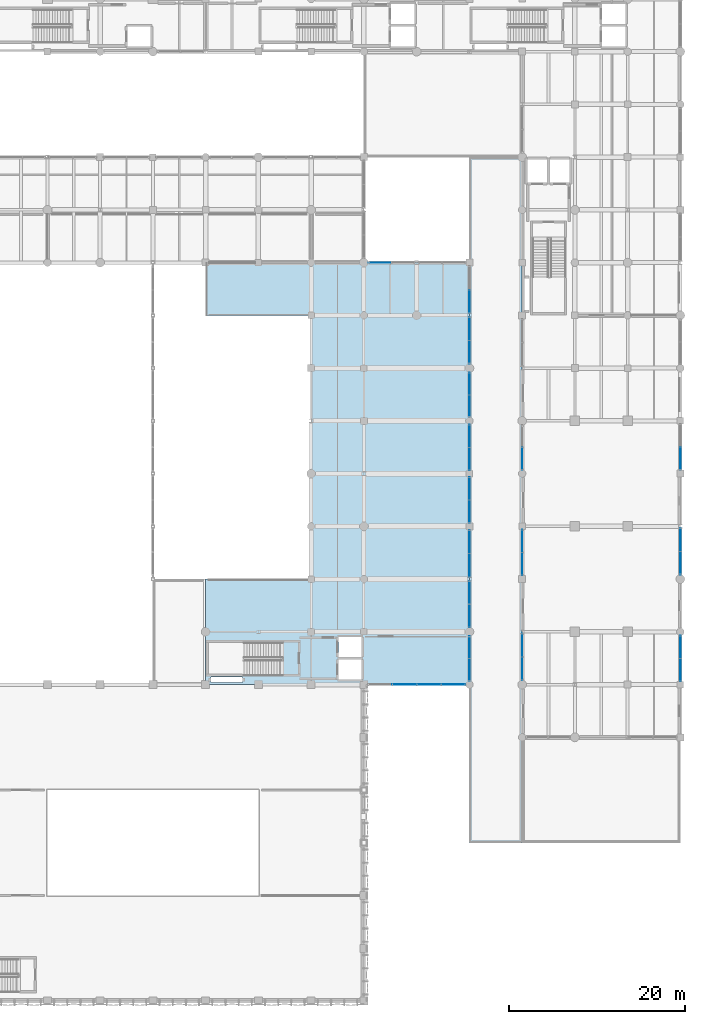
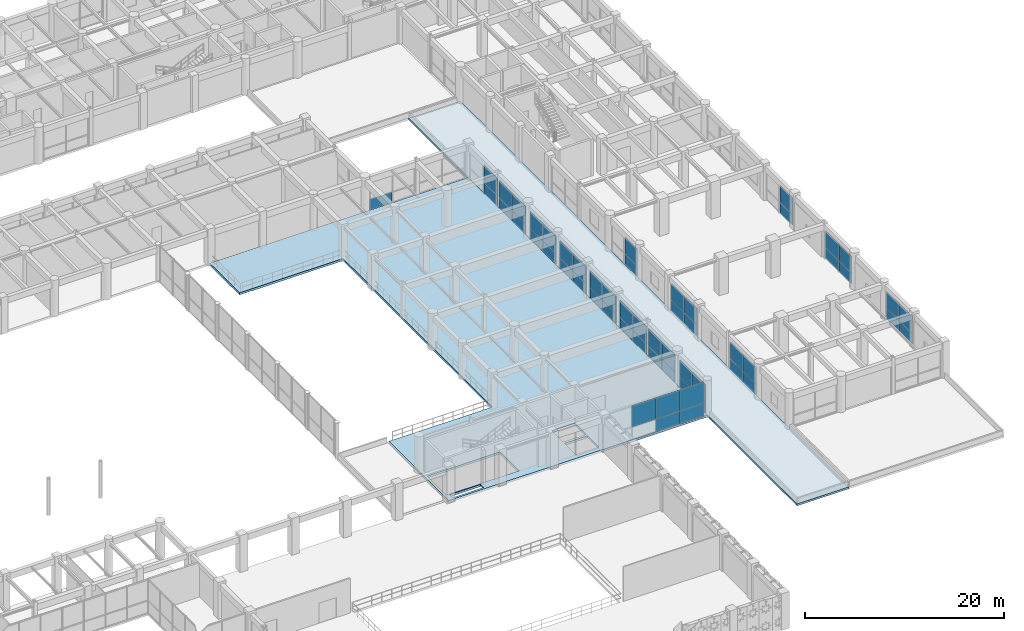
# One storey, part 92 of 133: 56 plates, 2 slabs, 16 elements without a shape of their own.
"""IFC4 building model written with IfcOpenShell, lengths in metres."""

from ifc_helpers import new_model, si_unit, direction, frame, frame_2d, origin, place, context, subcontext, project, spatial, polyline, rectangle, outline, extrude, material, layer, layer_set, type_object, element, aggregate, save


model = new_model("IFC4")

# Units and contexts
model_context = context("Model", 3, precision=1e-05, world=origin(), true_north=direction((0.0, 1.0)))
body_context = subcontext(model_context, "Body", "Model", "MODEL_VIEW")
ifc_project = project(units=[si_unit("LENGTHUNIT", "METRE"), si_unit("AREAUNIT", "SQUARE_METRE"), si_unit("VOLUMEUNIT", "CUBIC_METRE"), si_unit("PLANEANGLEUNIT", "RADIAN"), si_unit("MASSUNIT", "GRAM", prefix="KILO"), si_unit("THERMODYNAMICTEMPERATUREUNIT", "KELVIN"), si_unit("POWERUNIT", "WATT")], contexts=[model_context])

# Site, building, storey
site_placement = place(None, origin())
site = spatial("IfcSite", under=ifc_project, at=site_placement, CompositionType="ELEMENT")
building_placement = place(site_placement, origin())
building = spatial("IfcBuilding", under=site, at=building_placement, Name="Phaisarnlok Congress Hotel", CompositionType="ELEMENT")
storey_placement = place(building_placement, frame((0.0, 0.0, 6.0)))
storey = spatial("IfcBuildingStorey", under=building, at=storey_placement, Name="L01", CompositionType="ELEMENT", Elevation=6.0)

# Curtain wall, plates
ifc_material_1 = material(Name="Thermally Broken Unitised Aluminium & Low-E Glazing", Category="aluminium")
curtain_wall_type_1 = type_object("IfcCurtainWallType", Name="CW-UNIT-11", PredefinedType="NOTDEFINED", material=ifc_material_1)
curtain_wall_1_placement = place(storey_placement, origin())
curtain_wall_1 = element("IfcCurtainWall", 1, at=curtain_wall_1_placement, inside=storey, type_object=curtain_wall_type_1, Name="Unitised curtain wall CW-11 (L01)", PredefinedType="NOTDEFINED")
ifc_material_2 = material(Name="Triple Acoustic Solar-Control Glazing", Category="glass")
ifc_layer_1 = layer(ifc_material_2, 0.035888671875, Name="Triple Acoustic Solar-Control Glazing")
ifc_layer_set_1 = layer_set([ifc_layer_1], Name="Triple Acoustic Solar-Control Glazing")
plate_type = type_object("IfcPlateType", Name="CWP-GLZ-36", PredefinedType="CURTAIN_PANEL", material=ifc_layer_set_1)
plate_1_placement = place(storey_placement, frame((147.248779296875, 36.0, 1.603515625), z_axis=(0.0, 0.0, 1.0), x_axis=(1.0, 0.0, 0.0)))
plate_1 = element("IfcPlate", 2, at=plate_1_placement, type_object=plate_type, Name="Glazed curtain panel CWP-02", PredefinedType="CURTAIN_PANEL", context=body_context, shape_type="SweptSolid", body=[
    extrude(rectangle(XDim=2.748779296875, YDim=0.028076171875, at=frame_2d((1.37451171875, 0.0))), origin(), (0.0, 0.0, 1.0), 2.576416015625),
])
plate_2_placement = place(storey_placement, frame((150.027587890625, 36.0, 0.0400390625), z_axis=(0.0, 0.0, 1.0), x_axis=(1.0, 0.0, 0.0)))
plate_2 = element("IfcPlate", 3, at=plate_2_placement, type_object=plate_type, Name="Glazed curtain panel CWP-02", PredefinedType="CURTAIN_PANEL", context=body_context, shape_type="SweptSolid", body=[
    extrude(rectangle(XDim=2.748779296875, YDim=0.028076171875, at=frame_2d((1.37451171875, 0.0))), origin(), (0.0, 0.0, 1.0), 1.5634765625),
])
plate_3_placement = place(storey_placement, frame((150.027587890625, 36.0, 1.603515625), z_axis=(0.0, 0.0, 1.0), x_axis=(1.0, 0.0, 0.0)))
plate_3 = element("IfcPlate", 4, at=plate_3_placement, type_object=plate_type, Name="Glazed curtain panel CWP-02", PredefinedType="CURTAIN_PANEL", context=body_context, shape_type="SweptSolid", body=[
    extrude(rectangle(XDim=2.748779296875, YDim=0.028076171875, at=frame_2d((1.37451171875, 0.0))), origin(), (0.0, 0.0, 1.0), 2.576416015625),
])
plate_4_placement = place(storey_placement, frame((152.806396484375, 36.0, 0.0400390625), z_axis=(0.0, 0.0, 1.0), x_axis=(1.0, 0.0, 0.0)))
plate_4 = element("IfcPlate", 5, at=plate_4_placement, type_object=plate_type, Name="Glazed curtain panel CWP-02", PredefinedType="CURTAIN_PANEL", context=body_context, shape_type="SweptSolid", body=[
    extrude(rectangle(XDim=2.74365234375, YDim=0.028076171875, at=frame_2d((1.371826171875, 0.0))), origin(), (0.0, 0.0, 1.0), 1.5634765625),
])
plate_5_placement = place(storey_placement, frame((152.806396484375, 36.0, 1.603515625), z_axis=(0.0, 0.0, 1.0), x_axis=(1.0, 0.0, 0.0)))
plate_5 = element("IfcPlate", 6, at=plate_5_placement, type_object=plate_type, Name="Glazed curtain panel CWP-02", PredefinedType="CURTAIN_PANEL", context=body_context, shape_type="SweptSolid", body=[
    extrude(rectangle(XDim=2.74365234375, YDim=0.028076171875, at=frame_2d((1.371826171875, 0.0))), origin(), (0.0, 0.0, 1.0), 2.576416015625),
])
aggregate(curtain_wall_1, [plate_1, plate_2, plate_3, plate_4, plate_5])

curtain_wall_type_2 = type_object("IfcCurtainWallType", Name="CW-UNIT-12", PredefinedType="NOTDEFINED", material=ifc_material_1)
curtain_wall_2_placement = place(storey_placement, origin())
curtain_wall_2 = element("IfcCurtainWall", 7, at=curtain_wall_2_placement, inside=storey, type_object=curtain_wall_type_2, Name="Unitised curtain wall CW-12 (L01)", PredefinedType="NOTDEFINED")
plate_6_placement = place(storey_placement, frame((156.0, 36.449951171875, 0.0400390625), z_axis=(0.0, 0.0, 1.0), x_axis=(0.0, 1.0, 0.0)))
plate_6 = element("IfcPlate", 8, at=plate_6_placement, type_object=plate_type, Name="Glazed curtain panel CWP-02", PredefinedType="CURTAIN_PANEL", context=body_context, shape_type="SweptSolid", body=[
    extrude(rectangle(XDim=2.49755859375, YDim=0.028076171875, at=frame_2d((1.248779296875, 0.0))), origin(), (0.0, 0.0, 1.0), 1.278564453125),
])
plate_7_placement = place(storey_placement, frame((156.0, 36.449951171875, 1.318603515625), z_axis=(0.0, 0.0, 1.0), x_axis=(0.0, 1.0, 0.0)))
plate_7 = element("IfcPlate", 9, at=plate_7_placement, type_object=plate_type, Name="Glazed curtain panel CWP-02", PredefinedType="CURTAIN_PANEL", context=body_context, shape_type="SweptSolid", body=[
    extrude(rectangle(XDim=2.49755859375, YDim=0.028076171875, at=frame_2d((1.248779296875, 0.0))), origin(), (0.0, 0.0, 1.0), 2.111328125),
])
plate_8_placement = place(storey_placement, frame((156.0, 38.9775390625, 0.0400390625), z_axis=(0.0, 0.0, 1.0), x_axis=(0.0, 1.0, 0.0)))
plate_8 = element("IfcPlate", 10, at=plate_8_placement, type_object=plate_type, Name="Glazed curtain panel CWP-02", PredefinedType="CURTAIN_PANEL", context=body_context, shape_type="SweptSolid", body=[
    extrude(rectangle(XDim=2.49755859375, YDim=0.028076171875, at=frame_2d((1.248779296875, 0.0))), origin(), (0.0, 0.0, 1.0), 1.278564453125),
])
plate_9_placement = place(storey_placement, frame((156.0, 38.9775390625, 1.318603515625), z_axis=(0.0, 0.0, 1.0), x_axis=(0.0, 1.0, 0.0)))
plate_9 = element("IfcPlate", 11, at=plate_9_placement, type_object=plate_type, Name="Glazed curtain panel CWP-02", PredefinedType="CURTAIN_PANEL", context=body_context, shape_type="SweptSolid", body=[
    extrude(rectangle(XDim=2.49755859375, YDim=0.028076171875, at=frame_2d((1.248779296875, 0.0))), origin(), (0.0, 0.0, 1.0), 2.111328125),
])
aggregate(curtain_wall_2, [plate_6, plate_7, plate_8, plate_9])

curtain_wall_type_3 = type_object("IfcCurtainWallType", Name="CW-UNIT-13", PredefinedType="NOTDEFINED", material=ifc_material_1)
curtain_wall_3_placement = place(storey_placement, origin())
curtain_wall_3 = element("IfcCurtainWall", 12, at=curtain_wall_3_placement, inside=storey, type_object=curtain_wall_type_3, Name="Unitised curtain wall CW-13 (L01)", PredefinedType="NOTDEFINED")
plate_10_placement = place(storey_placement, frame((156.0, 42.52490234375, 0.0400390625), z_axis=(0.0, 0.0, 1.0), x_axis=(0.0, 1.0, 0.0)))
plate_10 = element("IfcPlate", 13, at=plate_10_placement, type_object=plate_type, Name="Glazed curtain panel CWP-02", PredefinedType="CURTAIN_PANEL", context=body_context, shape_type="SweptSolid", body=[
    extrude(rectangle(XDim=2.6103515625, YDim=0.028076171875, at=frame_2d((1.30517578125, 0.0))), origin(), (0.0, 0.0, 1.0), 1.278564453125),
])
plate_11_placement = place(storey_placement, frame((156.0, 42.52490234375, 1.318603515625), z_axis=(0.0, 0.0, 1.0), x_axis=(0.0, 1.0, 0.0)))
plate_11 = element("IfcPlate", 14, at=plate_11_placement, type_object=plate_type, Name="Glazed curtain panel CWP-02", PredefinedType="CURTAIN_PANEL", context=body_context, shape_type="SweptSolid", body=[
    extrude(rectangle(XDim=2.6103515625, YDim=0.028076171875, at=frame_2d((1.30517578125, 0.0))), origin(), (0.0, 0.0, 1.0), 2.111328125),
])
plate_12_placement = place(storey_placement, frame((156.0, 45.165283203125, 0.0400390625), z_axis=(0.0, 0.0, 1.0), x_axis=(0.0, 1.0, 0.0)))
plate_12 = element("IfcPlate", 15, at=plate_12_placement, type_object=plate_type, Name="Glazed curtain panel CWP-02", PredefinedType="CURTAIN_PANEL", context=body_context, shape_type="SweptSolid", body=[
    extrude(rectangle(XDim=2.610107421875, YDim=0.028076171875, at=frame_2d((1.30517578125, 0.0))), origin(), (0.0, 0.0, 1.0), 1.278564453125),
])
plate_13_placement = place(storey_placement, frame((156.0, 45.165283203125, 1.318603515625), z_axis=(0.0, 0.0, 1.0), x_axis=(0.0, 1.0, 0.0)))
plate_13 = element("IfcPlate", 16, at=plate_13_placement, type_object=plate_type, Name="Glazed curtain panel CWP-02", PredefinedType="CURTAIN_PANEL", context=body_context, shape_type="SweptSolid", body=[
    extrude(rectangle(XDim=2.610107421875, YDim=0.028076171875, at=frame_2d((1.30517578125, 0.0))), origin(), (0.0, 0.0, 1.0), 2.111328125),
])
aggregate(curtain_wall_3, [plate_10, plate_11, plate_12, plate_13])

curtain_wall_type_4 = type_object("IfcCurtainWallType", Name="CW-UNIT-14", PredefinedType="NOTDEFINED", material=ifc_material_1)
curtain_wall_4_placement = place(storey_placement, origin())
curtain_wall_4 = element("IfcCurtainWall", 17, at=curtain_wall_4_placement, inside=storey, type_object=curtain_wall_type_4, Name="Unitised curtain wall CW-14 (L01)", PredefinedType="NOTDEFINED")
plate_14_placement = place(storey_placement, frame((156.0, 48.224609375, 0.0400390625), z_axis=(0.0, 0.0, 1.0), x_axis=(0.0, 1.0, 0.0)))
plate_14 = element("IfcPlate", 18, at=plate_14_placement, type_object=plate_type, Name="Glazed curtain panel CWP-02", PredefinedType="CURTAIN_PANEL", context=body_context, shape_type="SweptSolid", body=[
    extrude(rectangle(XDim=2.66015625, YDim=0.028076171875, at=frame_2d((1.330078125, 0.0))), origin(), (0.0, 0.0, 1.0), 1.278564453125),
])
plate_15_placement = place(storey_placement, frame((156.0, 48.224609375, 1.318603515625), z_axis=(0.0, 0.0, 1.0), x_axis=(0.0, 1.0, 0.0)))
plate_15 = element("IfcPlate", 19, at=plate_15_placement, type_object=plate_type, Name="Glazed curtain panel CWP-02", PredefinedType="CURTAIN_PANEL", context=body_context, shape_type="SweptSolid", body=[
    extrude(rectangle(XDim=2.66015625, YDim=0.028076171875, at=frame_2d((1.330078125, 0.0))), origin(), (0.0, 0.0, 1.0), 2.111328125),
])
plate_16_placement = place(storey_placement, frame((156.0, 50.914794921875, 0.0400390625), z_axis=(0.0, 0.0, 1.0), x_axis=(0.0, 1.0, 0.0)))
plate_16 = element("IfcPlate", 20, at=plate_16_placement, type_object=plate_type, Name="Glazed curtain panel CWP-02", PredefinedType="CURTAIN_PANEL", context=body_context, shape_type="SweptSolid", body=[
    extrude(rectangle(XDim=2.66015625, YDim=0.028076171875, at=frame_2d((1.330078125, 0.0))), origin(), (0.0, 0.0, 1.0), 1.278564453125),
])
plate_17_placement = place(storey_placement, frame((156.0, 50.914794921875, 1.318603515625), z_axis=(0.0, 0.0, 1.0), x_axis=(0.0, 1.0, 0.0)))
plate_17 = element("IfcPlate", 21, at=plate_17_placement, type_object=plate_type, Name="Glazed curtain panel CWP-02", PredefinedType="CURTAIN_PANEL", context=body_context, shape_type="SweptSolid", body=[
    extrude(rectangle(XDim=2.66015625, YDim=0.028076171875, at=frame_2d((1.330078125, 0.0))), origin(), (0.0, 0.0, 1.0), 2.111328125),
])
aggregate(curtain_wall_4, [plate_14, plate_15, plate_16, plate_17])

curtain_wall_type_5 = type_object("IfcCurtainWallType", Name="CW-UNIT-15", PredefinedType="NOTDEFINED", material=ifc_material_1)
curtain_wall_5_placement = place(storey_placement, origin())
curtain_wall_5 = element("IfcCurtainWall", 22, at=curtain_wall_5_placement, inside=storey, type_object=curtain_wall_type_5, Name="Unitised curtain wall CW-15 (L01)", PredefinedType="NOTDEFINED")
plate_18_placement = place(storey_placement, frame((156.0, 54.425048828125, 0.0400390625), z_axis=(0.0, 0.0, 1.0), x_axis=(0.0, 1.0, 0.0)))
plate_18 = element("IfcPlate", 23, at=plate_18_placement, type_object=plate_type, Name="Glazed curtain panel CWP-02", PredefinedType="CURTAIN_PANEL", context=body_context, shape_type="SweptSolid", body=[
    extrude(rectangle(XDim=2.572509765625, YDim=0.028076171875, at=frame_2d((1.2861328125, 0.0))), origin(), (0.0, 0.0, 1.0), 1.278564453125),
])
plate_19_placement = place(storey_placement, frame((156.0, 54.425048828125, 1.318603515625), z_axis=(0.0, 0.0, 1.0), x_axis=(0.0, 1.0, 0.0)))
plate_19 = element("IfcPlate", 24, at=plate_19_placement, type_object=plate_type, Name="Glazed curtain panel CWP-02", PredefinedType="CURTAIN_PANEL", context=body_context, shape_type="SweptSolid", body=[
    extrude(rectangle(XDim=2.572509765625, YDim=0.028076171875, at=frame_2d((1.2861328125, 0.0))), origin(), (0.0, 0.0, 1.0), 2.111328125),
])
plate_20_placement = place(storey_placement, frame((156.0, 57.027587890625, 0.0400390625), z_axis=(0.0, 0.0, 1.0), x_axis=(0.0, 1.0, 0.0)))
plate_20 = element("IfcPlate", 25, at=plate_20_placement, type_object=plate_type, Name="Glazed curtain panel CWP-02", PredefinedType="CURTAIN_PANEL", context=body_context, shape_type="SweptSolid", body=[
    extrude(rectangle(XDim=2.572509765625, YDim=0.028076171875, at=frame_2d((1.2861328125, 0.0))), origin(), (0.0, 0.0, 1.0), 1.278564453125),
])
plate_21_placement = place(storey_placement, frame((156.0, 57.027587890625, 1.318603515625), z_axis=(0.0, 0.0, 1.0), x_axis=(0.0, 1.0, 0.0)))
plate_21 = element("IfcPlate", 26, at=plate_21_placement, type_object=plate_type, Name="Glazed curtain panel CWP-02", PredefinedType="CURTAIN_PANEL", context=body_context, shape_type="SweptSolid", body=[
    extrude(rectangle(XDim=2.572509765625, YDim=0.028076171875, at=frame_2d((1.2861328125, 0.0))), origin(), (0.0, 0.0, 1.0), 2.111328125),
])
aggregate(curtain_wall_5, [plate_18, plate_19, plate_20, plate_21])

curtain_wall_6_placement = place(storey_placement, origin())
curtain_wall_6 = element("IfcCurtainWall", 27, at=curtain_wall_6_placement, inside=storey, type_object=curtain_wall_type_5, Name="Unitised curtain wall CW-15 (L01)", PredefinedType="NOTDEFINED")
plate_22_placement = place(storey_placement, frame((156.0, 60.39990234375, 0.0400390625), z_axis=(0.0, 0.0, 1.0), x_axis=(0.0, 1.0, 0.0)))
plate_22 = element("IfcPlate", 28, at=plate_22_placement, type_object=plate_type, Name="Glazed curtain panel CWP-02", PredefinedType="CURTAIN_PANEL", context=body_context, shape_type="SweptSolid", body=[
    extrude(rectangle(XDim=2.56005859375, YDim=0.028076171875, at=frame_2d((1.280029296875, 0.0))), origin(), (0.0, 0.0, 1.0), 1.278564453125),
])
plate_23_placement = place(storey_placement, frame((156.0, 60.39990234375, 1.318603515625), z_axis=(0.0, 0.0, 1.0), x_axis=(0.0, 1.0, 0.0)))
plate_23 = element("IfcPlate", 29, at=plate_23_placement, type_object=plate_type, Name="Glazed curtain panel CWP-02", PredefinedType="CURTAIN_PANEL", context=body_context, shape_type="SweptSolid", body=[
    extrude(rectangle(XDim=2.56005859375, YDim=0.028076171875, at=frame_2d((1.280029296875, 0.0))), origin(), (0.0, 0.0, 1.0), 2.111328125),
])
plate_24_placement = place(storey_placement, frame((156.0, 62.989990234375, 0.0400390625), z_axis=(0.0, 0.0, 1.0), x_axis=(0.0, 1.0, 0.0)))
plate_24 = element("IfcPlate", 30, at=plate_24_placement, type_object=plate_type, Name="Glazed curtain panel CWP-02", PredefinedType="CURTAIN_PANEL", context=body_context, shape_type="SweptSolid", body=[
    extrude(rectangle(XDim=2.56005859375, YDim=0.028076171875, at=frame_2d((1.280029296875, 0.0))), origin(), (0.0, 0.0, 1.0), 1.278564453125),
])
plate_25_placement = place(storey_placement, frame((156.0, 62.989990234375, 1.318603515625), z_axis=(0.0, 0.0, 1.0), x_axis=(0.0, 1.0, 0.0)))
plate_25 = element("IfcPlate", 31, at=plate_25_placement, type_object=plate_type, Name="Glazed curtain panel CWP-02", PredefinedType="CURTAIN_PANEL", context=body_context, shape_type="SweptSolid", body=[
    extrude(rectangle(XDim=2.56005859375, YDim=0.028076171875, at=frame_2d((1.280029296875, 0.0))), origin(), (0.0, 0.0, 1.0), 2.111328125),
])
aggregate(curtain_wall_6, [plate_22, plate_23, plate_24, plate_25])

curtain_wall_7_placement = place(storey_placement, origin())
curtain_wall_7 = element("IfcCurtainWall", 32, at=curtain_wall_7_placement, inside=storey, type_object=curtain_wall_type_2, Name="Unitised curtain wall CW-12 (L01)", PredefinedType="NOTDEFINED")
plate_26_placement = place(storey_placement, frame((156.0, 66.449951171875, 0.0400390625), z_axis=(0.0, 0.0, 1.0), x_axis=(0.0, 1.0, 0.0)))
plate_26 = element("IfcPlate", 33, at=plate_26_placement, type_object=plate_type, Name="Glazed curtain panel CWP-02", PredefinedType="CURTAIN_PANEL", context=body_context, shape_type="SweptSolid", body=[
    extrude(rectangle(XDim=2.49755859375, YDim=0.028076171875, at=frame_2d((1.248779296875, 0.0))), origin(), (0.0, 0.0, 1.0), 1.278564453125),
])
plate_27_placement = place(storey_placement, frame((156.0, 66.449951171875, 1.318603515625), z_axis=(0.0, 0.0, 1.0), x_axis=(0.0, 1.0, 0.0)))
plate_27 = element("IfcPlate", 34, at=plate_27_placement, type_object=plate_type, Name="Glazed curtain panel CWP-02", PredefinedType="CURTAIN_PANEL", context=body_context, shape_type="SweptSolid", body=[
    extrude(rectangle(XDim=2.49755859375, YDim=0.028076171875, at=frame_2d((1.248779296875, 0.0))), origin(), (0.0, 0.0, 1.0), 2.111328125),
])
plate_28_placement = place(storey_placement, frame((156.0, 68.9775390625, 0.0400390625), z_axis=(0.0, 0.0, 1.0), x_axis=(0.0, 1.0, 0.0)))
plate_28 = element("IfcPlate", 35, at=plate_28_placement, type_object=plate_type, Name="Glazed curtain panel CWP-02", PredefinedType="CURTAIN_PANEL", context=body_context, shape_type="SweptSolid", body=[
    extrude(rectangle(XDim=2.49755859375, YDim=0.028076171875, at=frame_2d((1.248779296875, 0.0))), origin(), (0.0, 0.0, 1.0), 1.278564453125),
])
plate_29_placement = place(storey_placement, frame((156.0, 68.9775390625, 1.318603515625), z_axis=(0.0, 0.0, 1.0), x_axis=(0.0, 1.0, 0.0)))
plate_29 = element("IfcPlate", 36, at=plate_29_placement, type_object=plate_type, Name="Glazed curtain panel CWP-02", PredefinedType="CURTAIN_PANEL", context=body_context, shape_type="SweptSolid", body=[
    extrude(rectangle(XDim=2.49755859375, YDim=0.028076171875, at=frame_2d((1.248779296875, 0.0))), origin(), (0.0, 0.0, 1.0), 2.111328125),
])
aggregate(curtain_wall_7, [plate_26, plate_27, plate_28, plate_29])

curtain_wall_8_placement = place(storey_placement, origin())
curtain_wall_8 = element("IfcCurtainWall", 37, at=curtain_wall_8_placement, inside=storey, type_object=curtain_wall_type_3, Name="Unitised curtain wall CW-13 (L01)", PredefinedType="NOTDEFINED")
plate_30_placement = place(storey_placement, frame((156.0, 72.52490234375, 0.0400390625), z_axis=(0.0, 0.0, 1.0), x_axis=(0.0, 1.0, 0.0)))
plate_30 = element("IfcPlate", 38, at=plate_30_placement, type_object=plate_type, Name="Glazed curtain panel CWP-02", PredefinedType="CURTAIN_PANEL", context=body_context, shape_type="SweptSolid", body=[
    extrude(rectangle(XDim=2.6103515625, YDim=0.028076171875, at=frame_2d((1.30517578125, 0.0))), origin(), (0.0, 0.0, 1.0), 1.278564453125),
])
plate_31_placement = place(storey_placement, frame((156.0, 72.52490234375, 1.318603515625), z_axis=(0.0, 0.0, 1.0), x_axis=(0.0, 1.0, 0.0)))
plate_31 = element("IfcPlate", 39, at=plate_31_placement, type_object=plate_type, Name="Glazed curtain panel CWP-02", PredefinedType="CURTAIN_PANEL", context=body_context, shape_type="SweptSolid", body=[
    extrude(rectangle(XDim=2.6103515625, YDim=0.028076171875, at=frame_2d((1.30517578125, 0.0))), origin(), (0.0, 0.0, 1.0), 2.111328125),
])
plate_32_placement = place(storey_placement, frame((156.0, 75.165283203125, 0.0400390625), z_axis=(0.0, 0.0, 1.0), x_axis=(0.0, 1.0, 0.0)))
plate_32 = element("IfcPlate", 40, at=plate_32_placement, type_object=plate_type, Name="Glazed curtain panel CWP-02", PredefinedType="CURTAIN_PANEL", context=body_context, shape_type="SweptSolid", body=[
    extrude(rectangle(XDim=2.610107421875, YDim=0.028076171875, at=frame_2d((1.30517578125, 0.0))), origin(), (0.0, 0.0, 1.0), 1.278564453125),
])
plate_33_placement = place(storey_placement, frame((156.0, 75.165283203125, 1.318603515625), z_axis=(0.0, 0.0, 1.0), x_axis=(0.0, 1.0, 0.0)))
plate_33 = element("IfcPlate", 41, at=plate_33_placement, type_object=plate_type, Name="Glazed curtain panel CWP-02", PredefinedType="CURTAIN_PANEL", context=body_context, shape_type="SweptSolid", body=[
    extrude(rectangle(XDim=2.610107421875, YDim=0.028076171875, at=frame_2d((1.30517578125, 0.0))), origin(), (0.0, 0.0, 1.0), 2.111328125),
])
aggregate(curtain_wall_8, [plate_30, plate_31, plate_32, plate_33])

curtain_wall_9_placement = place(storey_placement, origin())
curtain_wall_9 = element("IfcCurtainWall", 42, at=curtain_wall_9_placement, inside=storey, type_object=curtain_wall_type_4, Name="Unitised curtain wall CW-14 (L01)", PredefinedType="NOTDEFINED")
plate_34_placement = place(storey_placement, frame((156.0, 78.224609375, 0.0400390625), z_axis=(0.0, 0.0, 1.0), x_axis=(0.0, 1.0, 0.0)))
plate_34 = element("IfcPlate", 43, at=plate_34_placement, type_object=plate_type, Name="Glazed curtain panel CWP-02", PredefinedType="CURTAIN_PANEL", context=body_context, shape_type="SweptSolid", body=[
    extrude(rectangle(XDim=2.66015625, YDim=0.028076171875, at=frame_2d((1.330078125, 0.0))), origin(), (0.0, 0.0, 1.0), 1.278564453125),
])
plate_35_placement = place(storey_placement, frame((156.0, 78.224609375, 1.318603515625), z_axis=(0.0, 0.0, 1.0), x_axis=(0.0, 1.0, 0.0)))
plate_35 = element("IfcPlate", 44, at=plate_35_placement, type_object=plate_type, Name="Glazed curtain panel CWP-02", PredefinedType="CURTAIN_PANEL", context=body_context, shape_type="SweptSolid", body=[
    extrude(rectangle(XDim=2.66015625, YDim=0.028076171875, at=frame_2d((1.330078125, 0.0))), origin(), (0.0, 0.0, 1.0), 2.111328125),
])
aggregate(curtain_wall_9, [plate_34, plate_35])

# Curtain wall, plate
curtain_wall_10_placement = place(storey_placement, origin())
curtain_wall_10 = element("IfcCurtainWall", 45, at=curtain_wall_10_placement, inside=storey, type_object=curtain_wall_type_3, Name="Unitised curtain wall CW-13 (L01)", PredefinedType="NOTDEFINED")
plate_36_placement = place(storey_placement, frame((147.134765625, 84.0, 0.0400390625), z_axis=(0.0, 0.0, 1.0), x_axis=(-1.0, 0.0, 0.0)))
plate_36 = element("IfcPlate", 46, at=plate_36_placement, type_object=plate_type, Name="Glazed curtain panel CWP-02", PredefinedType="CURTAIN_PANEL", context=body_context, shape_type="SweptSolid", body=[
    extrude(rectangle(XDim=2.60986328125, YDim=0.028076171875, at=frame_2d((1.304931640625, 0.0))), origin(), (0.0, 0.0, 1.0), 1.278564453125),
])
aggregate(curtain_wall_10, [plate_36])

# Curtain wall, plates
curtain_wall_11_placement = place(storey_placement, origin())
curtain_wall_11 = element("IfcCurtainWall", 47, at=curtain_wall_11_placement, inside=storey, type_object=curtain_wall_type_2, Name="Unitised curtain wall CW-12 (L01)", PredefinedType="NOTDEFINED")
plate_37_placement = place(storey_placement, frame((162.0, 62.947509765625, 0.0400390625), z_axis=(0.0, 0.0, 1.0), x_axis=(0.0, -1.0, 0.0)))
plate_37 = element("IfcPlate", 48, at=plate_37_placement, type_object=plate_type, Name="Glazed curtain panel CWP-02", PredefinedType="CURTAIN_PANEL", context=body_context, shape_type="SweptSolid", body=[
    extrude(rectangle(XDim=2.49755859375, YDim=0.028076171875, at=frame_2d((1.248779296875, 0.0))), origin(), (0.0, 0.0, 1.0), 1.278564453125),
])
plate_38_placement = place(storey_placement, frame((162.0, 62.947509765625, 1.318603515625), z_axis=(0.0, 0.0, 1.0), x_axis=(0.0, -1.0, 0.0)))
plate_38 = element("IfcPlate", 49, at=plate_38_placement, type_object=plate_type, Name="Glazed curtain panel CWP-02", PredefinedType="CURTAIN_PANEL", context=body_context, shape_type="SweptSolid", body=[
    extrude(rectangle(XDim=2.49755859375, YDim=0.028076171875, at=frame_2d((1.248779296875, 0.0))), origin(), (0.0, 0.0, 1.0), 2.111328125),
])
aggregate(curtain_wall_11, [plate_37, plate_38])

curtain_wall_12_placement = place(storey_placement, origin())
curtain_wall_12 = element("IfcCurtainWall", 50, at=curtain_wall_12_placement, inside=storey, type_object=curtain_wall_type_5, Name="Unitised curtain wall CW-15 (L01)", PredefinedType="NOTDEFINED")
plate_39_placement = place(storey_placement, frame((162.0, 53.60009765625, 0.0400390625), z_axis=(0.0, 0.0, 1.0), x_axis=(0.0, -1.0, 0.0)))
plate_39 = element("IfcPlate", 51, at=plate_39_placement, type_object=plate_type, Name="Glazed curtain panel CWP-02", PredefinedType="CURTAIN_PANEL", context=body_context, shape_type="SweptSolid", body=[
    extrude(rectangle(XDim=2.572509765625, YDim=0.028076171875, at=frame_2d((1.2861328125, 0.0))), origin(), (0.0, 0.0, 1.0), 1.278564453125),
])
plate_40_placement = place(storey_placement, frame((162.0, 53.60009765625, 1.318603515625), z_axis=(0.0, 0.0, 1.0), x_axis=(0.0, -1.0, 0.0)))
plate_40 = element("IfcPlate", 52, at=plate_40_placement, type_object=plate_type, Name="Glazed curtain panel CWP-02", PredefinedType="CURTAIN_PANEL", context=body_context, shape_type="SweptSolid", body=[
    extrude(rectangle(XDim=2.572509765625, YDim=0.028076171875, at=frame_2d((1.2861328125, 0.0))), origin(), (0.0, 0.0, 1.0), 2.111328125),
])
plate_41_placement = place(storey_placement, frame((162.0, 50.99755859375, 0.0400390625), z_axis=(0.0, 0.0, 1.0), x_axis=(0.0, -1.0, 0.0)))
plate_41 = element("IfcPlate", 53, at=plate_41_placement, type_object=plate_type, Name="Glazed curtain panel CWP-02", PredefinedType="CURTAIN_PANEL", context=body_context, shape_type="SweptSolid", body=[
    extrude(rectangle(XDim=2.572509765625, YDim=0.028076171875, at=frame_2d((1.2861328125, 0.0))), origin(), (0.0, 0.0, 1.0), 1.278564453125),
])
plate_42_placement = place(storey_placement, frame((162.0, 50.99755859375, 1.318603515625), z_axis=(0.0, 0.0, 1.0), x_axis=(0.0, -1.0, 0.0)))
plate_42 = element("IfcPlate", 54, at=plate_42_placement, type_object=plate_type, Name="Glazed curtain panel CWP-02", PredefinedType="CURTAIN_PANEL", context=body_context, shape_type="SweptSolid", body=[
    extrude(rectangle(XDim=2.572509765625, YDim=0.028076171875, at=frame_2d((1.2861328125, 0.0))), origin(), (0.0, 0.0, 1.0), 2.111328125),
])
aggregate(curtain_wall_12, [plate_39, plate_40, plate_41, plate_42])

curtain_wall_13_placement = place(storey_placement, origin())
curtain_wall_13 = element("IfcCurtainWall", 55, at=curtain_wall_13_placement, inside=storey, type_object=curtain_wall_type_3, Name="Unitised curtain wall CW-13 (L01)", PredefinedType="NOTDEFINED")
plate_43_placement = place(storey_placement, frame((162.0, 41.775390625, 0.0400390625), z_axis=(0.0, 0.0, 1.0), x_axis=(0.0, -1.0, 0.0)))
plate_43 = element("IfcPlate", 56, at=plate_43_placement, type_object=plate_type, Name="Glazed curtain panel CWP-02", PredefinedType="CURTAIN_PANEL", context=body_context, shape_type="SweptSolid", body=[
    extrude(rectangle(XDim=2.610107421875, YDim=0.028076171875, at=frame_2d((1.30517578125, 0.0))), origin(), (0.0, 0.0, 1.0), 1.278564453125),
])
plate_44_placement = place(storey_placement, frame((162.0, 41.775390625, 1.318603515625), z_axis=(0.0, 0.0, 1.0), x_axis=(0.0, -1.0, 0.0)))
plate_44 = element("IfcPlate", 57, at=plate_44_placement, type_object=plate_type, Name="Glazed curtain panel CWP-02", PredefinedType="CURTAIN_PANEL", context=body_context, shape_type="SweptSolid", body=[
    extrude(rectangle(XDim=2.610107421875, YDim=0.028076171875, at=frame_2d((1.30517578125, 0.0))), origin(), (0.0, 0.0, 1.0), 2.111328125),
])
plate_45_placement = place(storey_placement, frame((162.0, 39.13525390625, 0.0400390625), z_axis=(0.0, 0.0, 1.0), x_axis=(0.0, -1.0, 0.0)))
plate_45 = element("IfcPlate", 58, at=plate_45_placement, type_object=plate_type, Name="Glazed curtain panel CWP-02", PredefinedType="CURTAIN_PANEL", context=body_context, shape_type="SweptSolid", body=[
    extrude(rectangle(XDim=2.6103515625, YDim=0.028076171875, at=frame_2d((1.30517578125, 0.0))), origin(), (0.0, 0.0, 1.0), 1.278564453125),
])
plate_46_placement = place(storey_placement, frame((162.0, 39.13525390625, 1.318603515625), z_axis=(0.0, 0.0, 1.0), x_axis=(0.0, -1.0, 0.0)))
plate_46 = element("IfcPlate", 59, at=plate_46_placement, type_object=plate_type, Name="Glazed curtain panel CWP-02", PredefinedType="CURTAIN_PANEL", context=body_context, shape_type="SweptSolid", body=[
    extrude(rectangle(XDim=2.6103515625, YDim=0.028076171875, at=frame_2d((1.30517578125, 0.0))), origin(), (0.0, 0.0, 1.0), 2.111328125),
])
aggregate(curtain_wall_13, [plate_43, plate_44, plate_45, plate_46])

curtain_wall_14_placement = place(storey_placement, origin())
curtain_wall_14 = element("IfcCurtainWall", 60, at=curtain_wall_14_placement, inside=storey, type_object=curtain_wall_type_5, Name="Unitised curtain wall CW-15 (L01)", PredefinedType="NOTDEFINED")
plate_47_placement = place(storey_placement, frame((180.0, 36.39990234375, 0.0400390625), z_axis=(0.0, 0.0, 1.0), x_axis=(0.0, 1.0, 0.0)))
plate_47 = element("IfcPlate", 61, at=plate_47_placement, type_object=plate_type, Name="Glazed curtain panel CWP-02", PredefinedType="CURTAIN_PANEL", context=body_context, shape_type="SweptSolid", body=[
    extrude(rectangle(XDim=2.56005859375, YDim=0.028076171875, at=frame_2d((1.280029296875, 0.0))), origin(), (0.0, 0.0, 1.0), 1.278564453125),
])
plate_48_placement = place(storey_placement, frame((180.0, 36.39990234375, 1.318603515625), z_axis=(0.0, 0.0, 1.0), x_axis=(0.0, 1.0, 0.0)))
plate_48 = element("IfcPlate", 62, at=plate_48_placement, type_object=plate_type, Name="Glazed curtain panel CWP-02", PredefinedType="CURTAIN_PANEL", context=body_context, shape_type="SweptSolid", body=[
    extrude(rectangle(XDim=2.56005859375, YDim=0.028076171875, at=frame_2d((1.280029296875, 0.0))), origin(), (0.0, 0.0, 1.0), 2.111328125),
])
plate_49_placement = place(storey_placement, frame((180.0, 38.989990234375, 0.0400390625), z_axis=(0.0, 0.0, 1.0), x_axis=(0.0, 1.0, 0.0)))
plate_49 = element("IfcPlate", 63, at=plate_49_placement, type_object=plate_type, Name="Glazed curtain panel CWP-02", PredefinedType="CURTAIN_PANEL", context=body_context, shape_type="SweptSolid", body=[
    extrude(rectangle(XDim=2.56005859375, YDim=0.028076171875, at=frame_2d((1.280029296875, 0.0))), origin(), (0.0, 0.0, 1.0), 1.278564453125),
])
plate_50_placement = place(storey_placement, frame((180.0, 38.989990234375, 1.318603515625), z_axis=(0.0, 0.0, 1.0), x_axis=(0.0, 1.0, 0.0)))
plate_50 = element("IfcPlate", 64, at=plate_50_placement, type_object=plate_type, Name="Glazed curtain panel CWP-02", PredefinedType="CURTAIN_PANEL", context=body_context, shape_type="SweptSolid", body=[
    extrude(rectangle(XDim=2.56005859375, YDim=0.028076171875, at=frame_2d((1.280029296875, 0.0))), origin(), (0.0, 0.0, 1.0), 2.111328125),
])
aggregate(curtain_wall_14, [plate_47, plate_48, plate_49, plate_50])

curtain_wall_15_placement = place(storey_placement, origin())
curtain_wall_15 = element("IfcCurtainWall", 65, at=curtain_wall_15_placement, inside=storey, type_object=curtain_wall_type_3, Name="Unitised curtain wall CW-13 (L01)", PredefinedType="NOTDEFINED")
plate_51_placement = place(storey_placement, frame((180.0, 48.52490234375, 0.0400390625), z_axis=(0.0, 0.0, 1.0), x_axis=(0.0, 1.0, 0.0)))
plate_51 = element("IfcPlate", 66, at=plate_51_placement, type_object=plate_type, Name="Glazed curtain panel CWP-02", PredefinedType="CURTAIN_PANEL", context=body_context, shape_type="SweptSolid", body=[
    extrude(rectangle(XDim=2.6103515625, YDim=0.028076171875, at=frame_2d((1.30517578125, 0.0))), origin(), (0.0, 0.0, 1.0), 1.278564453125),
])
plate_52_placement = place(storey_placement, frame((180.0, 48.52490234375, 1.318603515625), z_axis=(0.0, 0.0, 1.0), x_axis=(0.0, 1.0, 0.0)))
plate_52 = element("IfcPlate", 67, at=plate_52_placement, type_object=plate_type, Name="Glazed curtain panel CWP-02", PredefinedType="CURTAIN_PANEL", context=body_context, shape_type="SweptSolid", body=[
    extrude(rectangle(XDim=2.6103515625, YDim=0.028076171875, at=frame_2d((1.30517578125, 0.0))), origin(), (0.0, 0.0, 1.0), 2.111328125),
])
plate_53_placement = place(storey_placement, frame((180.0, 51.165283203125, 0.0400390625), z_axis=(0.0, 0.0, 1.0), x_axis=(0.0, 1.0, 0.0)))
plate_53 = element("IfcPlate", 68, at=plate_53_placement, type_object=plate_type, Name="Glazed curtain panel CWP-02", PredefinedType="CURTAIN_PANEL", context=body_context, shape_type="SweptSolid", body=[
    extrude(rectangle(XDim=2.610107421875, YDim=0.028076171875, at=frame_2d((1.30517578125, 0.0))), origin(), (0.0, 0.0, 1.0), 1.278564453125),
])
plate_54_placement = place(storey_placement, frame((180.0, 51.165283203125, 1.318603515625), z_axis=(0.0, 0.0, 1.0), x_axis=(0.0, 1.0, 0.0)))
plate_54 = element("IfcPlate", 69, at=plate_54_placement, type_object=plate_type, Name="Glazed curtain panel CWP-02", PredefinedType="CURTAIN_PANEL", context=body_context, shape_type="SweptSolid", body=[
    extrude(rectangle(XDim=2.610107421875, YDim=0.028076171875, at=frame_2d((1.30517578125, 0.0))), origin(), (0.0, 0.0, 1.0), 2.111328125),
])
aggregate(curtain_wall_15, [plate_51, plate_52, plate_53, plate_54])

curtain_wall_16_placement = place(storey_placement, origin())
curtain_wall_16 = element("IfcCurtainWall", 70, at=curtain_wall_16_placement, inside=storey, type_object=curtain_wall_type_5, Name="Unitised curtain wall CW-15 (L01)", PredefinedType="NOTDEFINED")
plate_55_placement = place(storey_placement, frame((180.0, 60.425048828125, 0.0400390625), z_axis=(0.0, 0.0, 1.0), x_axis=(0.0, 1.0, 0.0)))
plate_55 = element("IfcPlate", 71, at=plate_55_placement, type_object=plate_type, Name="Glazed curtain panel CWP-02", PredefinedType="CURTAIN_PANEL", context=body_context, shape_type="SweptSolid", body=[
    extrude(rectangle(XDim=2.572509765625, YDim=0.028076171875, at=frame_2d((1.2861328125, 0.0))), origin(), (0.0, 0.0, 1.0), 1.278564453125),
])
plate_56_placement = place(storey_placement, frame((180.0, 60.425048828125, 1.318603515625), z_axis=(0.0, 0.0, 1.0), x_axis=(0.0, 1.0, 0.0)))
plate_56 = element("IfcPlate", 72, at=plate_56_placement, type_object=plate_type, Name="Glazed curtain panel CWP-02", PredefinedType="CURTAIN_PANEL", context=body_context, shape_type="SweptSolid", body=[
    extrude(rectangle(XDim=2.572509765625, YDim=0.028076171875, at=frame_2d((1.2861328125, 0.0))), origin(), (0.0, 0.0, 1.0), 2.111328125),
])
aggregate(curtain_wall_16, [plate_55, plate_56])

# Slabs
ifc_material_3 = material(Name="Concrete C40/50", Category="concrete")
ifc_layer_2 = layer(ifc_material_3, 0.260009765625, Name="Concrete C40/50")
ifc_layer_set_2 = layer_set([ifc_layer_2], Name="Concrete C40/50")
slab_type_1 = type_object("IfcSlabType", Name="SLB-INT-260", PredefinedType="FLOOR", material=ifc_layer_set_2)
slab_1_placement = place(storey_placement, frame((0.0, 0.0, -0.260009765625)))
element("IfcSlab", 73, at=slab_1_placement, inside=storey, type_object=slab_type_1, Name="Floor slab SL-INT-260 (L01 v4_e)", PredefinedType="FLOOR", context=body_context, shape_type="SweptSolid", body=[
    extrude(outline(polyline([(126.0, 84.0), (156.0, 84.0), (156.0, 36.0), (126.0, 36.0), (126.0, 48.0), (138.0, 48.0), (138.0, 78.0), (126.0, 78.0), (126.0, 84.0)]), holes=[polyline([(134.719970703125, 40.800048828125), (126.300048828125, 40.800048828125), (126.300048828125, 37.0), (134.719970703125, 37.0), (134.719970703125, 40.800048828125)]), polyline([(143.75, 36.60009765625), (143.75, 38.85009765625), (141.10009765625, 38.85009765625), (141.10009765625, 36.60009765625), (143.75, 36.60009765625)]), polyline([(143.75, 39.14990234375), (143.75, 41.39990234375), (141.10009765625, 41.39990234375), (141.10009765625, 39.14990234375), (143.75, 39.14990234375)]), polyline([(130.199951171875, 36.25), (130.199951171875, 36.85009765625), (126.60009765625, 36.85009765625), (126.60009765625, 36.25), (130.199951171875, 36.25)])]), origin(), (0.0, 0.0, 1.0), 0.260009765625),
])
ifc_layer_3 = layer(ifc_material_3, 0.239990234375, Name="Concrete C40/50")
ifc_layer_set_3 = layer_set([ifc_layer_3], Name="Concrete C40/50")
slab_type_2 = type_object("IfcSlabType", Name="SLB-ROOF-240", PredefinedType="ROOF", material=ifc_layer_set_3)
slab_2_placement = place(storey_placement, frame((0.0, 0.0, -0.239990234375)))
element("IfcSlab", 74, at=slab_2_placement, inside=storey, type_object=slab_type_2, Name="Podium setback roof slab SL-ROOF-240 (L01 pod_boh_e)", PredefinedType="ROOF", context=body_context, shape_type="SweptSolid", body=[
    extrude(outline(polyline([(156.0, 18.0), (162.0, 18.0), (162.0, 96.0), (156.0, 96.0), (156.0, 18.0)])), origin(), (0.0, 0.0, 1.0), 0.239990234375),
])

save(model, "model.ifc")
